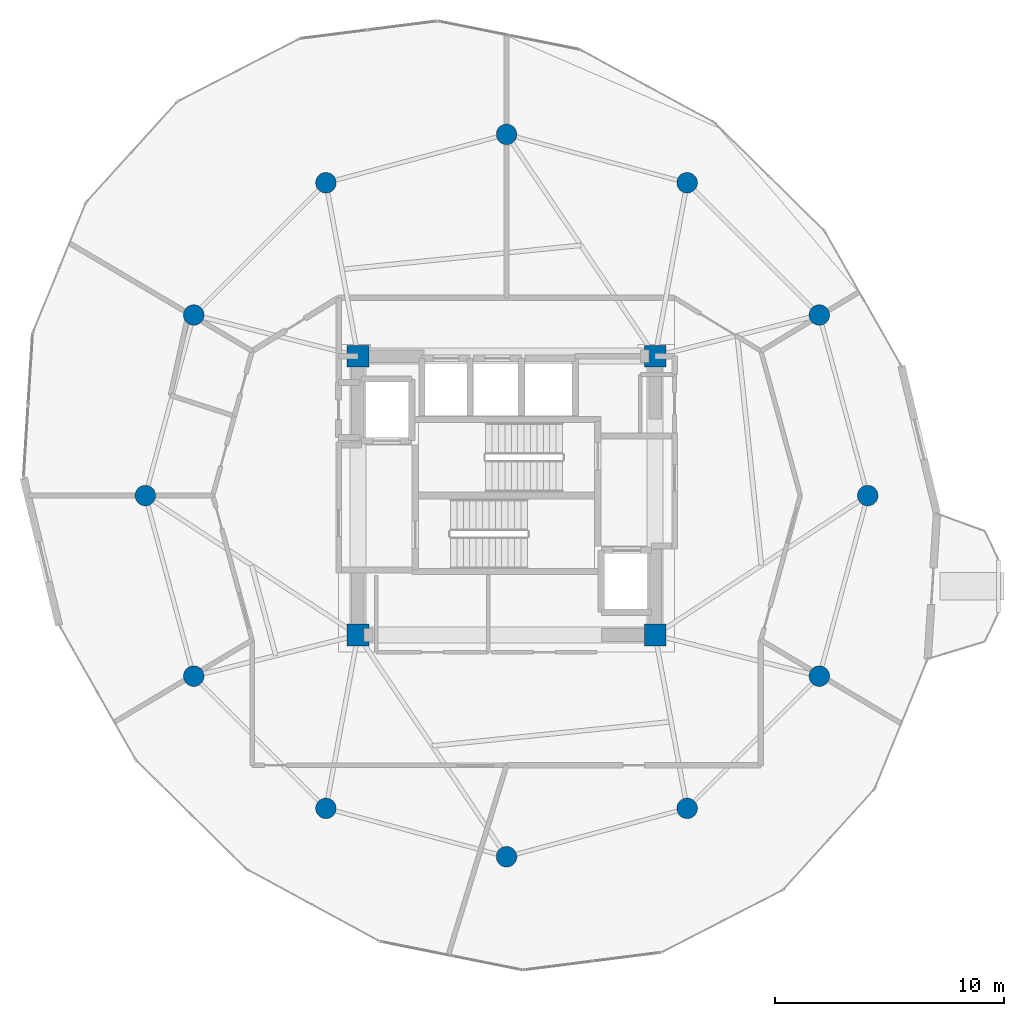
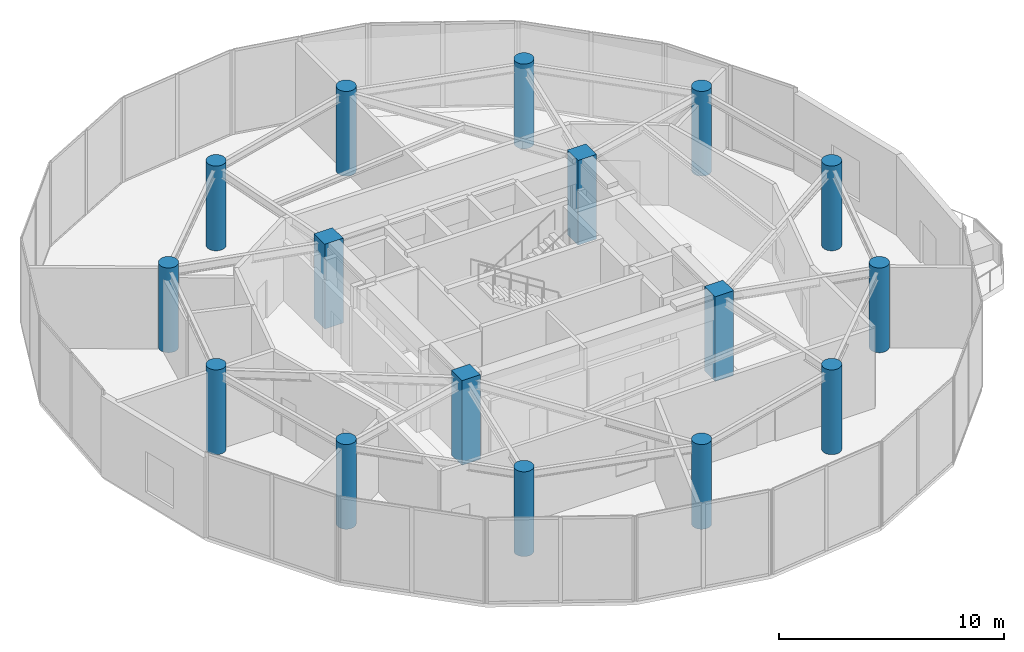
# One storey, part 1 of 23: 16 columns.
"""IFC4 building model written with IfcOpenShell, lengths in metres."""

from ifc_helpers import new_model, si_unit, direction, frame, origin, origin_2d, place, context, subcontext, project, spatial, rectangle, circle, extrude, material, material_profile, profile_set, type_object, element, save


model = new_model("IFC4")

# Units and contexts
model_context = context("Model", 3, precision=1e-05, world=origin(), true_north=direction((0.0, 1.0)))
body_context = subcontext(model_context, "Body", "Model", "MODEL_VIEW")
ifc_project = project(units=[si_unit("LENGTHUNIT", "METRE"), si_unit("AREAUNIT", "SQUARE_METRE"), si_unit("VOLUMEUNIT", "CUBIC_METRE"), si_unit("PLANEANGLEUNIT", "RADIAN"), si_unit("MASSUNIT", "GRAM", prefix="KILO")], contexts=[model_context])

# Site, building, storey
site_placement = place(None, origin())
site = spatial("IfcSite", under=ifc_project, at=site_placement, CompositionType="ELEMENT")
building_placement = place(site_placement, origin())
building = spatial("IfcBuilding", under=site, at=building_placement, Name="Solvirekh Grand Hotel", CompositionType="ELEMENT")
storey_placement = place(building_placement, frame((0.0, 0.0, 168.60009765625)))
storey = spatial("IfcBuildingStorey", under=building, at=storey_placement, Name="L43", CompositionType="ELEMENT", Elevation=168.60009765625)

# Columns
ifc_material = material(Name="Concrete C50/60", Category="concrete")
ifc_material_profile_1 = material_profile(ifc_material, rectangle(XDim=0.949951171875, YDim=0.949951171875, at=origin_2d()), Name="RC 950X950")
ifc_profile_set_1 = profile_set([ifc_material_profile_1], Name="Concrete C50/60")
column_type_1 = type_object("IfcColumnType", Name="Col_Core_950", PredefinedType="COLUMN", material=ifc_profile_set_1)
for number, where, z_axis, x_axis, name in (
    (1, (-6.5, -6.10009765625, 0.0), (0.0, 0.0, 1.0), (1.0, 0.0, 0.0), "L43 core corner column CC1"),
    (2, (6.5, -6.10009765625, 0.0), (0.0, 0.0, 1.0), (1.0, 0.0, 0.0), "L43 core corner column CC2"),
    (3, (6.5, 6.10009765625, 0.0), (0.0, 0.0, 1.0), (1.0, 0.0, 0.0), "L43 core corner column CC3"),
    (4, (-6.5, 6.10009765625, 0.0), (0.0, 0.0, 1.0), (1.0, 0.0, 0.0), "L43 core corner column CC4"),
):
    element("IfcColumn", number, at=place(storey_placement, frame(where, z_axis=z_axis, x_axis=x_axis)), inside=storey, type_object=column_type_1, Name=name, PredefinedType="COLUMN", context=body_context, shape_type="SweptSolid", body=[
        extrude(rectangle(XDim=0.949951171875, YDim=0.949951171875, at=origin_2d()), origin(), (0.0, 0.0, 1.0), 4.599853515625),
    ])
ifc_material_profile_2 = material_profile(ifc_material, circle(Radius=0.449951171875, at=origin_2d()), Name="RC CIRC D900")
ifc_profile_set_2 = profile_set([ifc_material_profile_2], Name="Concrete C50/60")
column_type_2 = type_object("IfcColumnType", Name="Col_Z3_D900", PredefinedType="COLUMN", material=ifc_profile_set_2)
for number, where, z_axis, x_axis, name in (
    (5, (15.800048828125, 0.0, 0.0), (0.0, 0.0, 1.0), (1.0, 0.0, 0.0), "L43 perimeter column P01"),
    (6, (13.68310546875, 7.89990234375, 0.0), (0.0, 0.0, 1.0), (1.0, 0.0, 0.0), "L43 perimeter column P02"),
    (7, (7.89990234375, 13.68310546875, 0.0), (0.0, 0.0, 1.0), (1.0, 0.0, 0.0), "L43 perimeter column P03"),
    (8, (0.0, 15.800048828125, 0.0), (0.0, 0.0, 1.0), (1.0, 0.0, 0.0), "L43 perimeter column P04"),
    (9, (-7.89990234375, 13.68310546875, 0.0), (0.0, 0.0, 1.0), (1.0, 0.0, 0.0), "L43 perimeter column P05"),
    (10, (-13.68310546875, 7.89990234375, 0.0), (0.0, 0.0, 1.0), (1.0, 0.0, 0.0), "L43 perimeter column P06"),
    (11, (-15.800048828125, 0.0, 0.0), (0.0, 0.0, 1.0), (1.0, 0.0, 0.0), "L43 perimeter column P07"),
    (12, (-13.68310546875, -7.89990234375, 0.0), (0.0, 0.0, 1.0), (1.0, 0.0, 0.0), "L43 perimeter column P08"),
    (13, (-7.89990234375, -13.68310546875, 0.0), (0.0, 0.0, 1.0), (1.0, 0.0, 0.0), "L43 perimeter column P09"),
    (14, (0.0, -15.800048828125, 0.0), (0.0, 0.0, 1.0), (1.0, 0.0, 0.0), "L43 perimeter column P10"),
    (15, (7.89990234375, -13.68310546875, 0.0), (0.0, 0.0, 1.0), (1.0, 0.0, 0.0), "L43 perimeter column P11"),
    (16, (13.68310546875, -7.89990234375, 0.0), (0.0, 0.0, 1.0), (1.0, 0.0, 0.0), "L43 perimeter column P12"),
):
    element("IfcColumn", number, at=place(storey_placement, frame(where, z_axis=z_axis, x_axis=x_axis)), inside=storey, type_object=column_type_2, Name=name, PredefinedType="COLUMN", context=body_context, shape_type="SweptSolid", body=[
        extrude(circle(Radius=0.449951171875, at=origin_2d()), origin(), (0.0, 0.0, 1.0), 4.599853515625),
    ])

save(model, "model.ifc")
